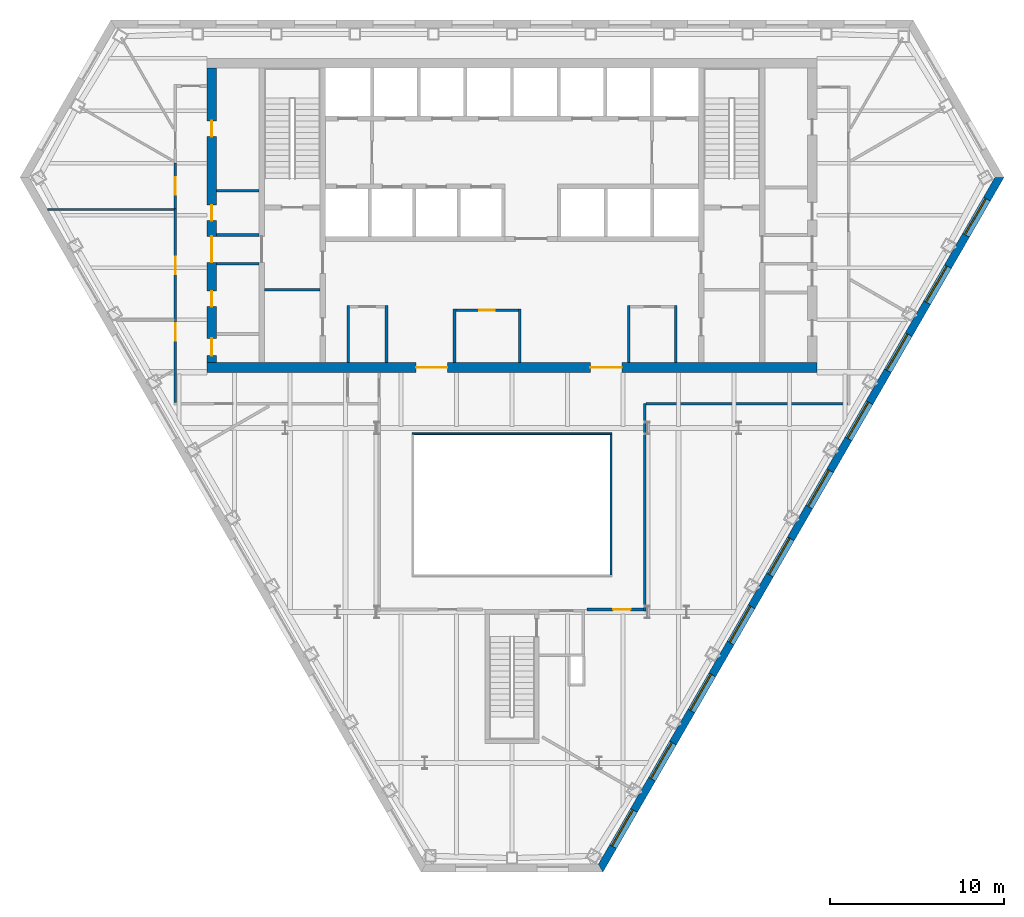
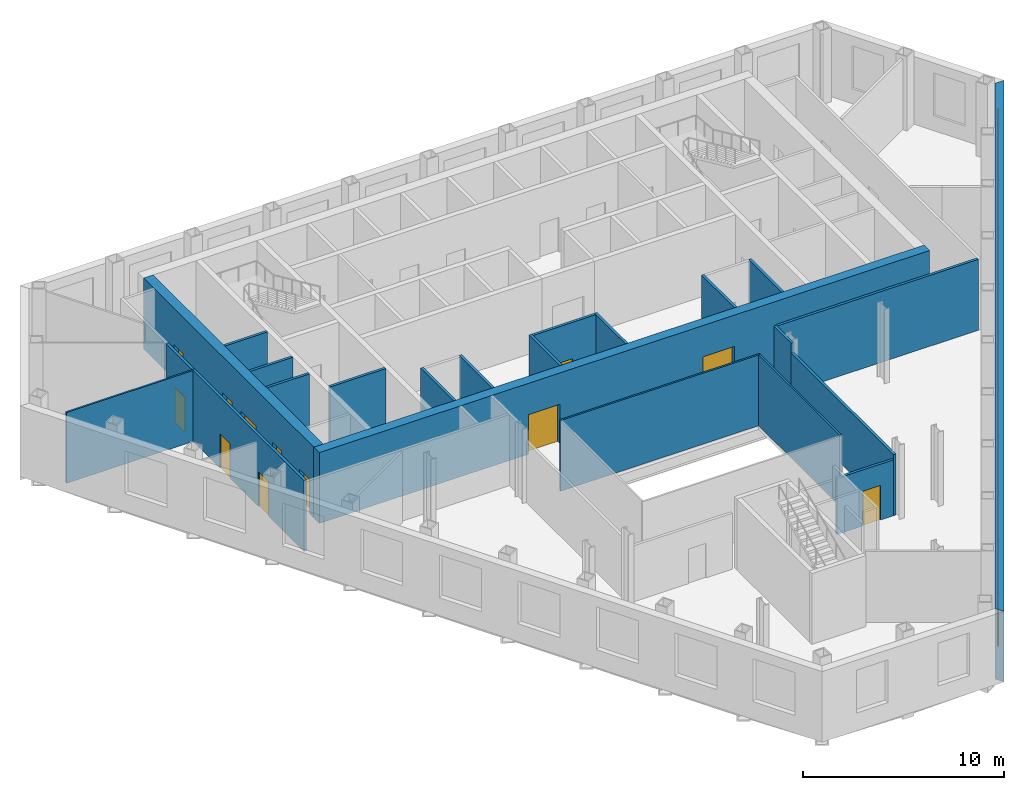
# One storey, part 5 of 11: 23 walls, 12 doors, 10 windows, 22 openings.
"""IFC4 building model written with IfcOpenShell, lengths in metres."""

from ifc_helpers import new_model, si_unit, direction, frame, frame_2d, origin, place, context, subcontext, project, spatial, polyline, rectangle, outline, extrude, material, layer, layer_set, type_object, element, fill, save


model = new_model("IFC4")

# Units and contexts
model_context = context("Model", 3, precision=1e-05, world=origin(), true_north=direction((0.0, 1.0)))
body_context = subcontext(model_context, "Body", "Model", "MODEL_VIEW")
ifc_project = project(units=[si_unit("LENGTHUNIT", "METRE"), si_unit("AREAUNIT", "SQUARE_METRE"), si_unit("VOLUMEUNIT", "CUBIC_METRE"), si_unit("PLANEANGLEUNIT", "RADIAN"), si_unit("MASSUNIT", "GRAM", prefix="KILO")], contexts=[model_context])

# Site, building, storey
site_placement = place(None, origin())
site = spatial("IfcSite", under=ifc_project, at=site_placement, CompositionType="ELEMENT")
building_placement = place(site_placement, origin())
building = spatial("IfcBuilding", under=site, at=building_placement, Name="Njiva Tower", CompositionType="ELEMENT")
storey_placement = place(building_placement, frame((0.0, 0.0, 84.3)))
storey = spatial("IfcBuildingStorey", under=building, at=storey_placement, Name="L17", CompositionType="ELEMENT", Elevation=84.3)

# Walls
ifc_material_1 = material(Name="Blockwork", Category="masonry")
ifc_layer_1 = layer(ifc_material_1, 0.15)
ifc_layer_set_1 = layer_set([ifc_layer_1], Name="Blockwork")
wall_type_1 = type_object("IfcWallType", Name="WT1 Compartment partition 150", PredefinedType="PARTITIONING", material=ifc_layer_set_1)
wall_1_placement = place(storey_placement, frame((-14.2, 4.725, 0.0), z_axis=(0.0, 0.0, 1.0), x_axis=(1.0, 0.0, 0.0)))
element("IfcWall", 1, at=wall_1_placement, inside=storey, type_object=wall_type_1, Name="Room wall A", PredefinedType="PARTITIONING", context=body_context, shape_type="SweptSolid", body=[
    extrude(rectangle(XDim=3.2, YDim=0.15, at=frame_2d((1.6, 0.0))), origin(), (0.0, 0.0, 1.0), 4.3),
])
for number, where, z_axis, x_axis, name in (
    (2, (-9.4, 0.55, 0.0), (0.0, 0.0, 1.0), (0.0, 1.0, 0.0), "Concierge office wall west"),
    (3, (-7.2, 0.55, 0.0), (0.0, 0.0, 1.0), (0.0, 1.0, 0.0), "Concierge office wall east"),
):
    element("IfcWall", number, at=place(storey_placement, frame(where, z_axis=z_axis, x_axis=x_axis)), inside=storey, type_object=wall_type_1, Name=name, PredefinedType="PARTITIONING", context=body_context, shape_type="SweptSolid", body=[
        extrude(rectangle(XDim=3.275, YDim=0.15, at=frame_2d((1.6375, 0.0))), origin(), (0.0, 0.0, 1.0), 4.3),
    ])
for number, where, z_axis, x_axis, name in (
    (4, (-3.3, 0.55, 0.0), (0.0, 0.0, 1.0), (0.0, 1.0, 0.0), "Post room wall west"),
    (5, (0.45, 0.55, 0.0), (0.0, 0.0, 1.0), (0.0, 1.0, 0.0), "Post room wall east"),
):
    element("IfcWall", number, at=place(storey_placement, frame(where, z_axis=z_axis, x_axis=x_axis)), inside=storey, type_object=wall_type_1, Name=name, PredefinedType="PARTITIONING", context=body_context, shape_type="SweptSolid", body=[
        extrude(rectangle(XDim=3.075, YDim=0.15, at=frame_2d((1.5375, 0.0))), origin(), (0.0, 0.0, 1.0), 4.3),
    ])

# Wall, opening, door
wall_2_placement = place(storey_placement, frame((-3.225, 3.55, 0.0), z_axis=(0.0, 0.0, 1.0), x_axis=(1.0, 0.0, 0.0)))
wall_2 = element("IfcWall", 6, at=wall_2_placement, inside=storey, type_object=wall_type_1, Name="Post room wall north", PredefinedType="PARTITIONING", context=body_context, shape_type="SweptSolid", body=[
    extrude(rectangle(XDim=3.6, YDim=0.15, at=frame_2d((1.8, 0.0))), origin(), (0.0, 0.0, 1.0), 4.3),
])
opening_1_placement = place(wall_2_placement, frame((1.35, 0.0, 0.0)))
opening_1 = element("IfcOpeningElement", 7, at=opening_1_placement, cuts=wall_2, Name="Opening S06-D933", PredefinedType="OPENING", context=body_context, shape_type="SweptSolid", body=[
    extrude(rectangle(XDim=0.9, YDim=2.1, at=frame_2d((0.45, 1.05))), frame((0.0, 0.085, 0.0), z_axis=(0.0, -1.0, 0.0), x_axis=(1.0, 0.0, 0.0)), (0.0, 0.0, 1.0), 0.17),
])
ifc_material_2 = material(Name="Steel fire door, painted", Category="steel")
door_type_1 = type_object("IfcDoorType", Name="D6 Fire-rated door 900x2100", OperationType="SINGLE_SWING_LEFT", PredefinedType="DOOR", material=ifc_material_2)
door_1_placement = place(opening_1_placement, origin())
door_1 = element("IfcDoor", 8, at=door_1_placement, inside=storey, type_object=door_type_1, Name="Post room door", OperationType="SINGLE_SWING_LEFT", OverallHeight=2.1, OverallWidth=0.9, PredefinedType="DOOR", context=body_context, shape_type="SweptSolid", body=[
    extrude(rectangle(XDim=0.9, YDim=2.1, at=frame_2d((0.45, 1.05))), frame((0.0, 0.025, 0.0), z_axis=(0.0, -1.0, 0.0), x_axis=(1.0, 0.0, 0.0)), (0.0, 0.0, 1.0), 0.05),
])
fill(opening_1, door_1)

# Walls
for number, where, z_axis, x_axis, name in (
    (9, (6.7, 0.55, 0.0), (0.0, 0.0, 1.0), (0.0, 1.0, 0.0), "Information office wall west"),
    (10, (9.4, 0.55, 0.0), (0.0, 0.0, 1.0), (0.0, 1.0, 0.0), "Information office wall east"),
):
    element("IfcWall", number, at=place(storey_placement, frame(where, z_axis=z_axis, x_axis=x_axis)), inside=storey, type_object=wall_type_1, Name=name, PredefinedType="PARTITIONING", context=body_context, shape_type="SweptSolid", body=[
        extrude(rectangle(XDim=3.275, YDim=0.15, at=frame_2d((1.6375, 0.0))), origin(), (0.0, 0.0, 1.0), 4.3),
    ])

# Wall, openings, doors
ifc_material_3 = material(Name="Concrete C60/75", Category="concrete")
ifc_layer_2 = layer(ifc_material_3, 0.55)
ifc_layer_set_2 = layer_set([ifc_layer_2], Name="Concrete C60/75")
wall_type_2 = type_object("IfcWallType", Name="WT14 Core wall 550", PredefinedType="SHEAR", material=ifc_layer_set_2)
wall_3_placement = place(storey_placement, frame((-17.5, 0.275, 0.0), z_axis=(0.0, 0.0, 1.0), x_axis=(1.0, 0.0, 0.0)))
wall_3 = element("IfcWall", 11, at=wall_3_placement, inside=storey, type_object=wall_type_2, Name="Core wall south", PredefinedType="SHEAR", context=body_context, shape_type="SweptSolid", body=[
    extrude(rectangle(XDim=35.0, YDim=0.55, at=frame_2d((17.5, 0.0))), origin(), (0.0, 0.0, 1.0), 4.3),
])
opening_2_placement = place(wall_3_placement, frame((12.0, 0.0, 0.0)))
opening_2 = element("IfcOpeningElement", 12, at=opening_2_placement, cuts=wall_3, Name="Opening S06-D936", PredefinedType="OPENING", context=body_context, shape_type="SweptSolid", body=[
    extrude(rectangle(XDim=1.8, YDim=2.4, at=frame_2d((0.9, 1.2))), frame((0.0, 0.285, 0.0), z_axis=(0.0, -1.0, 0.0), x_axis=(1.0, 0.0, 0.0)), (0.0, 0.0, 1.0), 0.57),
])
opening_3_placement = place(wall_3_placement, frame((22.0, 0.0, 0.0)))
opening_3 = element("IfcOpeningElement", 13, at=opening_3_placement, cuts=wall_3, Name="Opening S06-D937", PredefinedType="OPENING", context=body_context, shape_type="SweptSolid", body=[
    extrude(rectangle(XDim=1.8, YDim=2.4, at=frame_2d((0.9, 1.2))), frame((0.0, 0.285, 0.0), z_axis=(0.0, -1.0, 0.0), x_axis=(1.0, 0.0, 0.0)), (0.0, 0.0, 1.0), 0.57),
])
ifc_material_4 = material(Name="Steel and glass door", Category="steel")
door_type_2 = type_object("IfcDoorType", Name="D3 Core entrance door 1800x2400", OperationType="DOUBLE_DOOR_SINGLE_SWING", PredefinedType="DOOR", material=ifc_material_4)
door_2_placement = place(opening_2_placement, origin())
door_2 = element("IfcDoor", 14, at=door_2_placement, inside=storey, type_object=door_type_2, Name="Core entrance door", OperationType="DOUBLE_DOOR_SINGLE_SWING", OverallHeight=2.4, OverallWidth=1.8, PredefinedType="DOOR", context=body_context, shape_type="SweptSolid", body=[
    extrude(rectangle(XDim=1.8, YDim=2.4, at=frame_2d((0.9, 1.2))), frame((0.0, 0.025, 0.0), z_axis=(0.0, -1.0, 0.0), x_axis=(1.0, 0.0, 0.0)), (0.0, 0.0, 1.0), 0.05),
])
fill(opening_2, door_2)
door_3_placement = place(opening_3_placement, origin())
door_3 = element("IfcDoor", 15, at=door_3_placement, inside=storey, type_object=door_type_2, Name="Core entrance door", OperationType="DOUBLE_DOOR_SINGLE_SWING", OverallHeight=2.4, OverallWidth=1.8, PredefinedType="DOOR", context=body_context, shape_type="SweptSolid", body=[
    extrude(rectangle(XDim=1.8, YDim=2.4, at=frame_2d((0.9, 1.2))), frame((0.0, 0.025, 0.0), z_axis=(0.0, -1.0, 0.0), x_axis=(1.0, 0.0, 0.0)), (0.0, 0.0, 1.0), 0.05),
])
fill(opening_3, door_3)

wall_4_placement = place(storey_placement, frame((-17.225, 0.55, 0.0), z_axis=(0.0, 0.0, 1.0), x_axis=(0.0, 1.0, 0.0)))
wall_4 = element("IfcWall", 16, at=wall_4_placement, inside=storey, type_object=wall_type_2, Name="Core wall west", PredefinedType="SHEAR", context=body_context, shape_type="SweptSolid", body=[
    extrude(rectangle(XDim=16.9, YDim=0.55, at=frame_2d((8.45, 0.0))), origin(), (0.0, 0.0, 1.0), 4.3),
])
opening_4_placement = place(wall_4_placement, frame((5.75, 0.0, 0.0)))
opening_4 = element("IfcOpeningElement", 17, at=opening_4_placement, cuts=wall_4, Name="Opening S06-D921", PredefinedType="OPENING", context=body_context, shape_type="SweptSolid", body=[
    extrude(rectangle(XDim=1.5, YDim=2.1, at=frame_2d((0.75, 1.05))), frame((0.0, 0.285, 0.0), z_axis=(0.0, -1.0, 0.0), x_axis=(1.0, 0.0, 0.0)), (0.0, 0.0, 1.0), 0.57),
])
opening_5_placement = place(wall_4_placement, frame((0.4, 0.0, 0.0)))
opening_5 = element("IfcOpeningElement", 18, at=opening_5_placement, cuts=wall_4, Name="Opening S06-D922", PredefinedType="OPENING", context=body_context, shape_type="SweptSolid", body=[
    extrude(rectangle(XDim=1.0, YDim=2.1, at=frame_2d((0.5, 1.05))), frame((0.0, 0.285, 0.0), z_axis=(0.0, -1.0, 0.0), x_axis=(1.0, 0.0, 0.0)), (0.0, 0.0, 1.0), 0.57),
])
opening_6_placement = place(wall_4_placement, frame((3.2099, 0.0, 0.0)))
opening_6 = element("IfcOpeningElement", 19, at=opening_6_placement, cuts=wall_4, Name="Opening S06-D923", PredefinedType="OPENING", context=body_context, shape_type="SweptSolid", body=[
    extrude(rectangle(XDim=0.9, YDim=2.1, at=frame_2d((0.45, 1.05))), frame((0.0, 0.285, 0.0), z_axis=(0.0, -1.0, 0.0), x_axis=(1.0, 0.0, 0.0)), (0.0, 0.0, 1.0), 0.57),
])
opening_7_placement = place(wall_4_placement, frame((8.1409, 0.0, 0.0)))
opening_7 = element("IfcOpeningElement", 20, at=opening_7_placement, cuts=wall_4, Name="Opening S06-D924", PredefinedType="OPENING", context=body_context, shape_type="SweptSolid", body=[
    extrude(rectangle(XDim=0.9, YDim=2.1, at=frame_2d((0.45, 1.05))), frame((0.0, 0.285, 0.0), z_axis=(0.0, -1.0, 0.0), x_axis=(1.0, 0.0, 0.0)), (0.0, 0.0, 1.0), 0.57),
])
opening_8_placement = place(wall_4_placement, frame((12.9659, 0.0, 0.0)))
opening_8 = element("IfcOpeningElement", 21, at=opening_8_placement, cuts=wall_4, Name="Opening S06-D925", PredefinedType="OPENING", context=body_context, shape_type="SweptSolid", body=[
    extrude(rectangle(XDim=0.9, YDim=2.1, at=frame_2d((0.45, 1.05))), frame((0.0, 0.285, 0.0), z_axis=(0.0, -1.0, 0.0), x_axis=(1.0, 0.0, 0.0)), (0.0, 0.0, 1.0), 0.57),
])
ifc_material_5 = material(Name="Glazed steel fire door", Category="steel")
door_type_3 = type_object("IfcDoorType", Name="D10 Exit door double 1500x2100 glazed", OperationType="DOUBLE_DOOR_SINGLE_SWING", PredefinedType="DOOR", material=ifc_material_5)
door_4_placement = place(opening_4_placement, origin())
door_4 = element("IfcDoor", 22, at=door_4_placement, inside=storey, type_object=door_type_3, Name="Stair A corridor door", OperationType="DOUBLE_DOOR_SINGLE_SWING", OverallHeight=2.1, OverallWidth=1.5, PredefinedType="DOOR", context=body_context, shape_type="SweptSolid", body=[
    extrude(rectangle(XDim=1.5, YDim=2.1, at=frame_2d((0.75, 1.05))), frame((0.0, 0.025, 0.0), z_axis=(0.0, -1.0, 0.0), x_axis=(1.0, 0.0, 0.0)), (0.0, 0.0, 1.0), 0.05),
])
fill(opening_4, door_4)
ifc_material_6 = material(Name="Steel door, painted", Category="steel")
door_type_4 = type_object("IfcDoorType", Name="D4 Riser door 900x2100", OperationType="SINGLE_SWING_LEFT", PredefinedType="DOOR", material=ifc_material_6)
door_5_placement = place(opening_7_placement, origin())
door_5 = element("IfcDoor", 23, at=door_5_placement, inside=storey, type_object=door_type_4, Name="Riser door", OperationType="SINGLE_SWING_LEFT", OverallHeight=2.1, OverallWidth=0.9, PredefinedType="DOOR", context=body_context, shape_type="SweptSolid", body=[
    extrude(rectangle(XDim=0.9, YDim=2.1, at=frame_2d((0.45, 1.05))), frame((0.0, 0.025, 0.0), z_axis=(0.0, -1.0, 0.0), x_axis=(1.0, 0.0, 0.0)), (0.0, 0.0, 1.0), 0.05),
])
fill(opening_7, door_5)
door_type_5 = type_object("IfcDoorType", Name="D5 Steel door 1000x2100", OperationType="SINGLE_SWING_LEFT", PredefinedType="DOOR", material=ifc_material_6)
door_6_placement = place(opening_5_placement, origin())
door_6 = element("IfcDoor", 24, at=door_6_placement, inside=storey, type_object=door_type_5, Name="Electrical room door", OperationType="SINGLE_SWING_LEFT", OverallHeight=2.1, OverallWidth=1.0, PredefinedType="DOOR", context=body_context, shape_type="SweptSolid", body=[
    extrude(rectangle(XDim=1.0, YDim=2.1, at=frame_2d((0.5, 1.05))), frame((0.0, 0.025, 0.0), z_axis=(0.0, -1.0, 0.0), x_axis=(1.0, 0.0, 0.0)), (0.0, 0.0, 1.0), 0.05),
])
fill(opening_5, door_6)
door_7_placement = place(opening_6_placement, origin())
door_7 = element("IfcDoor", 25, at=door_7_placement, inside=storey, type_object=door_type_1, Name="First aid room door", OperationType="SINGLE_SWING_LEFT", OverallHeight=2.1, OverallWidth=0.9, PredefinedType="DOOR", context=body_context, shape_type="SweptSolid", body=[
    extrude(rectangle(XDim=0.9, YDim=2.1, at=frame_2d((0.45, 1.05))), frame((0.0, 0.025, 0.0), z_axis=(0.0, -1.0, 0.0), x_axis=(1.0, 0.0, 0.0)), (0.0, 0.0, 1.0), 0.05),
])
fill(opening_6, door_7)
door_8_placement = place(opening_8_placement, origin())
door_8 = element("IfcDoor", 26, at=door_8_placement, inside=storey, type_object=door_type_1, Name="Breakout room door", OperationType="SINGLE_SWING_RIGHT", OverallHeight=2.1, OverallWidth=0.9, PredefinedType="DOOR", context=body_context, shape_type="SweptSolid", body=[
    extrude(rectangle(XDim=0.9, YDim=2.1, at=frame_2d((0.45, 1.05))), frame((0.0, 0.025, 0.0), z_axis=(0.0, -1.0, 0.0), x_axis=(1.0, 0.0, 0.0)), (0.0, 0.0, 1.0), 0.05),
])
fill(opening_8, door_8)

# Wall
ifc_material_7 = material(Name="Gypsum board on steel studs", Category="gypsum")
ifc_layer_3 = layer(ifc_material_7, 0.1)
ifc_layer_set_3 = layer_set([ifc_layer_3], Name="Gypsum board on steel studs")
wall_type_3 = type_object("IfcWallType", Name="WT20 Gypsum partition 100", PredefinedType="PARTITIONING", material=ifc_layer_set_3)
wall_5_placement = place(storey_placement, frame((-26.632, 9.335, 0.0), z_axis=(0.0, 0.0, 1.0), x_axis=(1.0, 0.0, 0.0)))
element("IfcWall", 27, at=wall_5_placement, inside=storey, type_object=wall_type_3, Name="Partition S06-P001", PredefinedType="PARTITIONING", context=body_context, shape_type="SweptSolid", body=[
    extrude(rectangle(XDim=7.257, YDim=0.1, at=frame_2d((3.6285, 0.0))), origin(), (0.0, 0.0, 1.0), 4.3),
])

# Wall, opening, door
ifc_layer_4 = layer(ifc_material_7, 0.15)
ifc_layer_set_4 = layer_set([ifc_layer_4], Name="Gypsum board on steel studs")
wall_type_4 = type_object("IfcWallType", Name="WT21 Compartment wall 150", PredefinedType="PARTITIONING", material=ifc_layer_set_4)
wall_6_placement = place(storey_placement, frame((-19.301, 11.995, 0.0), z_axis=(0.0, 0.0, 1.0), x_axis=(0.000383141734, -0.999999926601, 0.0)))
wall_6 = element("IfcWall", 28, at=wall_6_placement, inside=storey, type_object=wall_type_4, Name="Partition S06-P007", PredefinedType="PARTITIONING", context=body_context, shape_type="SweptSolid", body=[
    extrude(rectangle(XDim=2.61, YDim=0.15, at=frame_2d((1.305, 0.0))), origin(), (0.0, 0.0, 1.0), 4.3),
])
opening_9_placement = place(wall_6_placement, frame((0.805, 0.0, 0.0)))
opening_9 = element("IfcOpeningElement", 29, at=opening_9_placement, cuts=wall_6, Name="Opening S06-D002", PredefinedType="OPENING", context=body_context, shape_type="SweptSolid", body=[
    extrude(rectangle(XDim=1.0, YDim=2.1, at=frame_2d((0.5, 1.05))), frame((0.0, 0.085, 0.0), z_axis=(0.0, -1.0, 0.0), x_axis=(1.0, 0.0, 0.0)), (0.0, 0.0, 1.0), 0.17),
])
ifc_material_8 = material(Name="Steel fire door set", Category="steel")
door_type_6 = type_object("IfcDoorType", Name="D37 Fire door 1000x2100", OperationType="SINGLE_SWING_LEFT", PredefinedType="DOOR", material=ifc_material_8)
door_9_placement = place(opening_9_placement, origin())
door_9 = element("IfcDoor", 30, at=door_9_placement, inside=storey, type_object=door_type_6, Name="Door S06-D002", OperationType="SINGLE_SWING_LEFT", OverallHeight=2.1, OverallWidth=1.0, PredefinedType="DOOR", context=body_context, shape_type="SweptSolid", body=[
    extrude(rectangle(XDim=1.0, YDim=2.1, at=frame_2d((0.5, 1.05))), frame((0.0, 0.025, 0.0), z_axis=(0.0, -1.0, 0.0), x_axis=(1.0, 0.0, 0.0)), (0.0, 0.0, 1.0), 0.05),
])
fill(opening_9, door_9)

# Wall, openings, doors
wall_7_placement = place(storey_placement, frame((-19.3, -1.725, 0.0), z_axis=(0.0, 0.0, 1.0), x_axis=(0.0, 1.0, 0.0)))
wall_7 = element("IfcWall", 31, at=wall_7_placement, inside=storey, type_object=wall_type_4, Name="Partition S06-P008", PredefinedType="PARTITIONING", context=body_context, shape_type="SweptSolid", body=[
    extrude(rectangle(XDim=11.11, YDim=0.15, at=frame_2d((5.555, 0.0))), origin(), (0.0, 0.0, 1.0), 4.3),
])
opening_10_placement = place(wall_7_placement, frame((3.524, 0.0, 0.0)))
opening_10 = element("IfcOpeningElement", 32, at=opening_10_placement, cuts=wall_7, Name="Opening S06-D003", PredefinedType="OPENING", context=body_context, shape_type="SweptSolid", body=[
    extrude(rectangle(XDim=1.0, YDim=2.1, at=frame_2d((0.5, 1.05))), frame((0.0, 0.085, 0.0), z_axis=(0.0, -1.0, 0.0), x_axis=(1.0, 0.0, 0.0)), (0.0, 0.0, 1.0), 0.17),
])
opening_11_placement = place(wall_7_placement, frame((7.342, 0.0, 0.0)))
opening_11 = element("IfcOpeningElement", 33, at=opening_11_placement, cuts=wall_7, Name="Opening S06-D004", PredefinedType="OPENING", context=body_context, shape_type="SweptSolid", body=[
    extrude(rectangle(XDim=1.0, YDim=2.1, at=frame_2d((0.5, 1.05))), frame((0.0, 0.085, 0.0), z_axis=(0.0, -1.0, 0.0), x_axis=(1.0, 0.0, 0.0)), (0.0, 0.0, 1.0), 0.17),
])
door_10_placement = place(opening_10_placement, origin())
door_10 = element("IfcDoor", 34, at=door_10_placement, inside=storey, type_object=door_type_6, Name="Door S06-D003", OperationType="SINGLE_SWING_RIGHT", OverallHeight=2.1, OverallWidth=1.0, PredefinedType="DOOR", context=body_context, shape_type="SweptSolid", body=[
    extrude(rectangle(XDim=1.0, YDim=2.1, at=frame_2d((0.5, 1.05))), frame((0.0, 0.025, 0.0), z_axis=(0.0, -1.0, 0.0), x_axis=(1.0, 0.0, 0.0)), (0.0, 0.0, 1.0), 0.05),
])
fill(opening_10, door_10)
door_11_placement = place(opening_11_placement, origin())
door_11 = element("IfcDoor", 35, at=door_11_placement, inside=storey, type_object=door_type_6, Name="Door S06-D004", OperationType="SINGLE_SWING_LEFT", OverallHeight=2.1, OverallWidth=1.0, PredefinedType="DOOR", context=body_context, shape_type="SweptSolid", body=[
    extrude(rectangle(XDim=1.0, YDim=2.1, at=frame_2d((0.5, 1.05))), frame((0.0, 0.025, 0.0), z_axis=(0.0, -1.0, 0.0), x_axis=(1.0, 0.0, 0.0)), (0.0, 0.0, 1.0), 0.05),
])
fill(opening_11, door_11)

# Wall, opening, door
wall_8_placement = place(storey_placement, frame((4.3, -13.6, 0.0), z_axis=(0.0, 0.0, 1.0), x_axis=(1.0, 0.0, 0.0)))
wall_8 = element("IfcWall", 36, at=wall_8_placement, inside=storey, type_object=wall_type_4, Name="Partition S06-P016", PredefinedType="PARTITIONING", context=body_context, shape_type="SweptSolid", body=[
    extrude(rectangle(XDim=3.235, YDim=0.15, at=frame_2d((1.6175, 0.0))), origin(), (0.0, 0.0, 1.0), 3.39),
])
opening_12_placement = place(wall_8_placement, frame((1.498, 0.0, 0.0)))
opening_12 = element("IfcOpeningElement", 37, at=opening_12_placement, cuts=wall_8, Name="Opening S06-D010", PredefinedType="OPENING", context=body_context, shape_type="SweptSolid", body=[
    extrude(rectangle(XDim=1.0, YDim=2.1, at=frame_2d((0.5, 1.05))), frame((0.0, 0.085, 0.0), z_axis=(0.0, -1.0, 0.0), x_axis=(1.0, 0.0, 0.0)), (0.0, 0.0, 1.0), 0.17),
])
door_12_placement = place(opening_12_placement, origin())
door_12 = element("IfcDoor", 38, at=door_12_placement, inside=storey, type_object=door_type_6, Name="Door S06-D010", OperationType="SINGLE_SWING_RIGHT", OverallHeight=2.1, OverallWidth=1.0, PredefinedType="DOOR", context=body_context, shape_type="SweptSolid", body=[
    extrude(rectangle(XDim=1.0, YDim=2.1, at=frame_2d((0.5, 1.05))), frame((0.0, 0.025, 0.0), z_axis=(0.0, -1.0, 0.0), x_axis=(1.0, 0.0, 0.0)), (0.0, 0.0, 1.0), 0.05),
])
fill(opening_12, door_12)

# Walls
wall_9_placement = place(storey_placement, frame((7.61, -13.675, 0.0), z_axis=(0.0, 0.0, 1.0), x_axis=(0.0, 1.0, 0.0)))
element("IfcWall", 39, at=wall_9_placement, inside=storey, type_object=wall_type_4, Name="Partition S06-P017", PredefinedType="PARTITIONING", context=body_context, shape_type="SweptSolid", body=[
    extrude(rectangle(XDim=10.167, YDim=0.15, at=frame_2d((5.0835, 0.0))), origin(), (0.0, 0.0, 1.0), 3.7),
])
wall_10_placement = place(storey_placement, frame((7.61, -3.508, 0.0), z_axis=(0.0, 0.0, 1.0), x_axis=(0.0, 1.0, 0.0)))
element("IfcWall", 40, at=wall_10_placement, inside=storey, type_object=wall_type_4, Name="Partition S06-P017A", PredefinedType="PARTITIONING", context=body_context, shape_type="SweptSolid", body=[
    extrude(rectangle(XDim=1.719, YDim=0.15, at=frame_2d((0.8595, 0.0))), origin(), (0.0, 0.0, 1.0), 4.3),
])
wall_11_placement = place(storey_placement, frame((7.685, -1.8, 0.0), z_axis=(0.0, 0.0, 1.0), x_axis=(1.0, 0.0, 0.0)))
element("IfcWall", 41, at=wall_11_placement, inside=storey, type_object=wall_type_4, Name="Partition S06-P018", PredefinedType="PARTITIONING", context=body_context, shape_type="SweptSolid", body=[
    extrude(rectangle(XDim=11.54, YDim=0.15, at=frame_2d((5.77, 0.0))), origin(), (0.0, 0.0, 1.0), 4.3),
])
ifc_layer_5 = layer(ifc_material_1, 0.15)
ifc_layer_set_5 = layer_set([ifc_layer_5], Name="Blockwork")
wall_type_5 = type_object("IfcWallType", Name="WT3 Riser partition 150", PredefinedType="PARTITIONING", material=ifc_layer_set_5)
wall_12_placement = place(storey_placement, frame((-16.95, 10.4069, 0.0), z_axis=(0.0, 0.0, 1.0), x_axis=(1.0, 0.0, 0.0)))
element("IfcWall", 42, at=wall_12_placement, inside=storey, type_object=wall_type_5, Name="Partition strip W10", PredefinedType="PARTITIONING", context=body_context, shape_type="SweptSolid", body=[
    extrude(rectangle(XDim=2.45, YDim=0.15, at=frame_2d((1.225, 0.0))), origin(), (0.0, 0.0, 1.0), 4.3),
])
ifc_layer_6 = layer(ifc_material_1, 0.15)
ifc_layer_set_6 = layer_set([ifc_layer_6], Name="Blockwork")
wall_type_6 = type_object("IfcWallType", Name="WT4 Stair partition 150", PredefinedType="PARTITIONING", material=ifc_layer_set_6)
for number, where, z_axis, x_axis, name in (
    (43, (-16.95, 6.225, 0.0), (0.0, 0.0, 1.0), (1.0, 0.0, 0.0), "Stair A exit passage wall south"),
    (44, (-16.95, 7.875, 0.0), (0.0, 0.0, 1.0), (1.0, 0.0, 0.0), "Stair A exit passage wall north"),
):
    element("IfcWall", number, at=place(storey_placement, frame(where, z_axis=z_axis, x_axis=x_axis)), inside=storey, type_object=wall_type_6, Name=name, PredefinedType="PARTITIONING", context=body_context, shape_type="SweptSolid", body=[
        extrude(rectangle(XDim=2.45, YDim=0.15, at=frame_2d((1.225, 0.0))), origin(), (0.0, 0.0, 1.0), 4.3),
    ])

# Wall, openings, windows
ifc_material_9 = material(Name="Brick masonry", Category="masonry")
ifc_layer_7 = layer(ifc_material_9, 0.45)
ifc_layer_set_7 = layer_set([ifc_layer_7], Name="Brick masonry")
wall_type_7 = type_object("IfcWallType", Name="WT90 Brick pier and spandrel wall 450", PredefinedType="SOLIDWALL", material=ifc_layer_set_7)
wall_13_placement = place(storey_placement, frame((5.0851, -28.4362, -0.18), z_axis=(0.0, 0.0, 1.0), x_axis=(0.499999194392, 0.866025868902, 0.0)))
wall_13 = element("IfcWall", 45, at=wall_13_placement, inside=storey, type_object=wall_type_7, Name="Facade wall SE", PredefinedType="SOLIDWALL", context=body_context, shape_type="SweptSolid", body=[
    extrude(outline(polyline([(-0.1299, -0.225), (45.8602, -0.225), (45.6004, 0.225), (0.1299, 0.225), (-0.1299, -0.225)])), origin(), (0.0, 0.0, 1.0), 4.28),
])
opening_13_placement = place(wall_13_placement, frame((1.4237, 0.0, 1.08)))
opening_13 = element("IfcOpeningElement", 46, at=opening_13_placement, cuts=wall_13, Name="Opening S06-W24", PredefinedType="OPENING", context=body_context, shape_type="SweptSolid", body=[
    extrude(rectangle(XDim=2.4, YDim=2.6, at=frame_2d((1.2, 1.3))), frame((0.0, 0.235, 0.0), z_axis=(0.0, -1.0, 0.0), x_axis=(1.0, 0.0, 0.0)), (0.0, 0.0, 1.0), 0.47),
])
opening_14_placement = place(wall_13_placement, frame((5.8919, 0.0, 1.08)))
opening_14 = element("IfcOpeningElement", 47, at=opening_14_placement, cuts=wall_13, Name="Opening S06-W25", PredefinedType="OPENING", context=body_context, shape_type="SweptSolid", body=[
    extrude(rectangle(XDim=2.4, YDim=2.6, at=frame_2d((1.2, 1.3))), frame((0.0, 0.235, 0.0), z_axis=(0.0, -1.0, 0.0), x_axis=(1.0, 0.0, 0.0)), (0.0, 0.0, 1.0), 0.47),
])
opening_15_placement = place(wall_13_placement, frame((10.3985, 0.0, 1.08)))
opening_15 = element("IfcOpeningElement", 48, at=opening_15_placement, cuts=wall_13, Name="Opening S06-W26", PredefinedType="OPENING", context=body_context, shape_type="SweptSolid", body=[
    extrude(rectangle(XDim=2.4, YDim=2.6, at=frame_2d((1.2, 1.3))), frame((0.0, 0.235, 0.0), z_axis=(0.0, -1.0, 0.0), x_axis=(1.0, 0.0, 0.0)), (0.0, 0.0, 1.0), 0.47),
])
opening_16_placement = place(wall_13_placement, frame((14.9052, 0.0, 1.08)))
opening_16 = element("IfcOpeningElement", 49, at=opening_16_placement, cuts=wall_13, Name="Opening S06-W27", PredefinedType="OPENING", context=body_context, shape_type="SweptSolid", body=[
    extrude(rectangle(XDim=2.4, YDim=2.6, at=frame_2d((1.2, 1.3))), frame((0.0, 0.235, 0.0), z_axis=(0.0, -1.0, 0.0), x_axis=(1.0, 0.0, 0.0)), (0.0, 0.0, 1.0), 0.47),
])
opening_17_placement = place(wall_13_placement, frame((19.4118, 0.0, 1.08)))
opening_17 = element("IfcOpeningElement", 50, at=opening_17_placement, cuts=wall_13, Name="Opening S06-W28", PredefinedType="OPENING", context=body_context, shape_type="SweptSolid", body=[
    extrude(rectangle(XDim=2.4, YDim=2.6, at=frame_2d((1.2, 1.3))), frame((0.0, 0.235, 0.0), z_axis=(0.0, -1.0, 0.0), x_axis=(1.0, 0.0, 0.0)), (0.0, 0.0, 1.0), 0.47),
])
opening_18_placement = place(wall_13_placement, frame((23.9184, 0.0, 1.08)))
opening_18 = element("IfcOpeningElement", 51, at=opening_18_placement, cuts=wall_13, Name="Opening S06-W29", PredefinedType="OPENING", context=body_context, shape_type="SweptSolid", body=[
    extrude(rectangle(XDim=2.4, YDim=2.6, at=frame_2d((1.2, 1.3))), frame((0.0, 0.235, 0.0), z_axis=(0.0, -1.0, 0.0), x_axis=(1.0, 0.0, 0.0)), (0.0, 0.0, 1.0), 0.47),
])
opening_19_placement = place(wall_13_placement, frame((28.425, 0.0, 1.08)))
opening_19 = element("IfcOpeningElement", 52, at=opening_19_placement, cuts=wall_13, Name="Opening S06-W30", PredefinedType="OPENING", context=body_context, shape_type="SweptSolid", body=[
    extrude(rectangle(XDim=2.4, YDim=2.6, at=frame_2d((1.2, 1.3))), frame((0.0, 0.235, 0.0), z_axis=(0.0, -1.0, 0.0), x_axis=(1.0, 0.0, 0.0)), (0.0, 0.0, 1.0), 0.47),
])
opening_20_placement = place(wall_13_placement, frame((32.9316, 0.0, 1.08)))
opening_20 = element("IfcOpeningElement", 53, at=opening_20_placement, cuts=wall_13, Name="Opening S06-W31", PredefinedType="OPENING", context=body_context, shape_type="SweptSolid", body=[
    extrude(rectangle(XDim=2.4, YDim=2.6, at=frame_2d((1.2, 1.3))), frame((0.0, 0.235, 0.0), z_axis=(0.0, -1.0, 0.0), x_axis=(1.0, 0.0, 0.0)), (0.0, 0.0, 1.0), 0.47),
])
opening_21_placement = place(wall_13_placement, frame((37.4383, 0.0, 1.08)))
opening_21 = element("IfcOpeningElement", 54, at=opening_21_placement, cuts=wall_13, Name="Opening S06-W32", PredefinedType="OPENING", context=body_context, shape_type="SweptSolid", body=[
    extrude(rectangle(XDim=2.4, YDim=2.6, at=frame_2d((1.2, 1.3))), frame((0.0, 0.235, 0.0), z_axis=(0.0, -1.0, 0.0), x_axis=(1.0, 0.0, 0.0)), (0.0, 0.0, 1.0), 0.47),
])
opening_22_placement = place(wall_13_placement, frame((41.9065, 0.0, 1.08)))
opening_22 = element("IfcOpeningElement", 55, at=opening_22_placement, cuts=wall_13, Name="Opening S06-W33", PredefinedType="OPENING", context=body_context, shape_type="SweptSolid", body=[
    extrude(rectangle(XDim=2.4, YDim=2.6, at=frame_2d((1.2, 1.3))), frame((0.0, 0.235, 0.0), z_axis=(0.0, -1.0, 0.0), x_axis=(1.0, 0.0, 0.0)), (0.0, 0.0, 1.0), 0.47),
])
ifc_material_10 = material(Name="Clear glazing in aluminium frame", Category="aluminium")
window_type = type_object("IfcWindowType", Name="W92 Deep-set window 2400x2600", PartitioningType="SINGLE_PANEL", PredefinedType="WINDOW", material=ifc_material_10)
window_1_placement = place(opening_13_placement, origin())
window_1 = element("IfcWindow", 56, at=window_1_placement, inside=storey, type_object=window_type, Name="Window", OverallHeight=2.6, OverallWidth=2.4, PartitioningType="SINGLE_PANEL", PredefinedType="WINDOW", context=body_context, shape_type="SweptSolid", body=[
    extrude(rectangle(XDim=2.4, YDim=2.6, at=frame_2d((1.2, 1.3))), frame((0.0, 0.105, 0.0), z_axis=(0.0, -1.0, 0.0), x_axis=(1.0, 0.0, 0.0)), (0.0, 0.0, 1.0), 0.06),
])
fill(opening_13, window_1)
window_2_placement = place(opening_14_placement, origin())
window_2 = element("IfcWindow", 57, at=window_2_placement, inside=storey, type_object=window_type, Name="Window", OverallHeight=2.6, OverallWidth=2.4, PartitioningType="SINGLE_PANEL", PredefinedType="WINDOW", context=body_context, shape_type="SweptSolid", body=[
    extrude(rectangle(XDim=2.4, YDim=2.6, at=frame_2d((1.2, 1.3))), frame((0.0, 0.105, 0.0), z_axis=(0.0, -1.0, 0.0), x_axis=(1.0, 0.0, 0.0)), (0.0, 0.0, 1.0), 0.06),
])
fill(opening_14, window_2)
window_3_placement = place(opening_15_placement, origin())
window_3 = element("IfcWindow", 58, at=window_3_placement, inside=storey, type_object=window_type, Name="Window", OverallHeight=2.6, OverallWidth=2.4, PartitioningType="SINGLE_PANEL", PredefinedType="WINDOW", context=body_context, shape_type="SweptSolid", body=[
    extrude(rectangle(XDim=2.4, YDim=2.6, at=frame_2d((1.2, 1.3))), frame((0.0, 0.105, 0.0), z_axis=(0.0, -1.0, 0.0), x_axis=(1.0, 0.0, 0.0)), (0.0, 0.0, 1.0), 0.06),
])
fill(opening_15, window_3)
window_4_placement = place(opening_16_placement, origin())
window_4 = element("IfcWindow", 59, at=window_4_placement, inside=storey, type_object=window_type, Name="Window", OverallHeight=2.6, OverallWidth=2.4, PartitioningType="SINGLE_PANEL", PredefinedType="WINDOW", context=body_context, shape_type="SweptSolid", body=[
    extrude(rectangle(XDim=2.4, YDim=2.6, at=frame_2d((1.2, 1.3))), frame((0.0, 0.105, 0.0), z_axis=(0.0, -1.0, 0.0), x_axis=(1.0, 0.0, 0.0)), (0.0, 0.0, 1.0), 0.06),
])
fill(opening_16, window_4)
window_5_placement = place(opening_17_placement, origin())
window_5 = element("IfcWindow", 60, at=window_5_placement, inside=storey, type_object=window_type, Name="Window", OverallHeight=2.6, OverallWidth=2.4, PartitioningType="SINGLE_PANEL", PredefinedType="WINDOW", context=body_context, shape_type="SweptSolid", body=[
    extrude(rectangle(XDim=2.4, YDim=2.6, at=frame_2d((1.2, 1.3))), frame((0.0, 0.105, 0.0), z_axis=(0.0, -1.0, 0.0), x_axis=(1.0, 0.0, 0.0)), (0.0, 0.0, 1.0), 0.06),
])
fill(opening_17, window_5)
window_6_placement = place(opening_18_placement, origin())
window_6 = element("IfcWindow", 61, at=window_6_placement, inside=storey, type_object=window_type, Name="Window", OverallHeight=2.6, OverallWidth=2.4, PartitioningType="SINGLE_PANEL", PredefinedType="WINDOW", context=body_context, shape_type="SweptSolid", body=[
    extrude(rectangle(XDim=2.4, YDim=2.6, at=frame_2d((1.2, 1.3))), frame((0.0, 0.105, 0.0), z_axis=(0.0, -1.0, 0.0), x_axis=(1.0, 0.0, 0.0)), (0.0, 0.0, 1.0), 0.06),
])
fill(opening_18, window_6)
window_7_placement = place(opening_19_placement, origin())
window_7 = element("IfcWindow", 62, at=window_7_placement, inside=storey, type_object=window_type, Name="Window", OverallHeight=2.6, OverallWidth=2.4, PartitioningType="SINGLE_PANEL", PredefinedType="WINDOW", context=body_context, shape_type="SweptSolid", body=[
    extrude(rectangle(XDim=2.4, YDim=2.6, at=frame_2d((1.2, 1.3))), frame((0.0, 0.105, 0.0), z_axis=(0.0, -1.0, 0.0), x_axis=(1.0, 0.0, 0.0)), (0.0, 0.0, 1.0), 0.06),
])
fill(opening_19, window_7)
window_8_placement = place(opening_20_placement, origin())
window_8 = element("IfcWindow", 63, at=window_8_placement, inside=storey, type_object=window_type, Name="Window", OverallHeight=2.6, OverallWidth=2.4, PartitioningType="SINGLE_PANEL", PredefinedType="WINDOW", context=body_context, shape_type="SweptSolid", body=[
    extrude(rectangle(XDim=2.4, YDim=2.6, at=frame_2d((1.2, 1.3))), frame((0.0, 0.105, 0.0), z_axis=(0.0, -1.0, 0.0), x_axis=(1.0, 0.0, 0.0)), (0.0, 0.0, 1.0), 0.06),
])
fill(opening_20, window_8)
window_9_placement = place(opening_21_placement, origin())
window_9 = element("IfcWindow", 64, at=window_9_placement, inside=storey, type_object=window_type, Name="Window", OverallHeight=2.6, OverallWidth=2.4, PartitioningType="SINGLE_PANEL", PredefinedType="WINDOW", context=body_context, shape_type="SweptSolid", body=[
    extrude(rectangle(XDim=2.4, YDim=2.6, at=frame_2d((1.2, 1.3))), frame((0.0, 0.105, 0.0), z_axis=(0.0, -1.0, 0.0), x_axis=(1.0, 0.0, 0.0)), (0.0, 0.0, 1.0), 0.06),
])
fill(opening_21, window_9)
window_10_placement = place(opening_22_placement, origin())
window_10 = element("IfcWindow", 65, at=window_10_placement, inside=storey, type_object=window_type, Name="Window", OverallHeight=2.6, OverallWidth=2.4, PartitioningType="SINGLE_PANEL", PredefinedType="WINDOW", context=body_context, shape_type="SweptSolid", body=[
    extrude(rectangle(XDim=2.4, YDim=2.6, at=frame_2d((1.2, 1.3))), frame((0.0, 0.105, 0.0), z_axis=(0.0, -1.0, 0.0), x_axis=(1.0, 0.0, 0.0)), (0.0, 0.0, 1.0), 0.06),
])
fill(opening_22, window_10)

# Walls
ifc_material_11 = material(Name="Fire-resisting glazing EI 90", Category="glass")
ifc_layer_8 = layer(ifc_material_11, 0.1)
ifc_layer_set_8 = layer_set([ifc_layer_8], Name="Fire-resisting glazing EI 90")
wall_type_8 = type_object("IfcWallType", Name="WT95 Fire-resisting glazed screen EI 90", PredefinedType="PARTITIONING", material=ifc_layer_set_8)
wall_14_placement = place(storey_placement, frame((5.68, -11.62, 0.0), z_axis=(0.0, 0.0, 1.0), x_axis=(0.0, 1.0, 0.0)))
element("IfcWall", 66, at=wall_14_placement, inside=storey, type_object=wall_type_8, Name="Atrium fire screen east", PredefinedType="PARTITIONING", context=body_context, shape_type="SweptSolid", body=[
    extrude(rectangle(XDim=8.04, YDim=0.1, at=frame_2d((4.02, 0.0))), origin(), (0.0, 0.0, 1.0), 4.3),
])
wall_15_placement = place(storey_placement, frame((5.73, -3.53, 0.0), z_axis=(0.0, 0.0, 1.0), x_axis=(-1.0, 0.0, 0.0)))
element("IfcWall", 67, at=wall_15_placement, inside=storey, type_object=wall_type_8, Name="Atrium fire screen north", PredefinedType="PARTITIONING", context=body_context, shape_type="SweptSolid", body=[
    extrude(rectangle(XDim=11.46, YDim=0.1, at=frame_2d((5.73, 0.0))), origin(), (0.0, 0.0, 1.0), 4.3),
])

save(model, "model.ifc")
